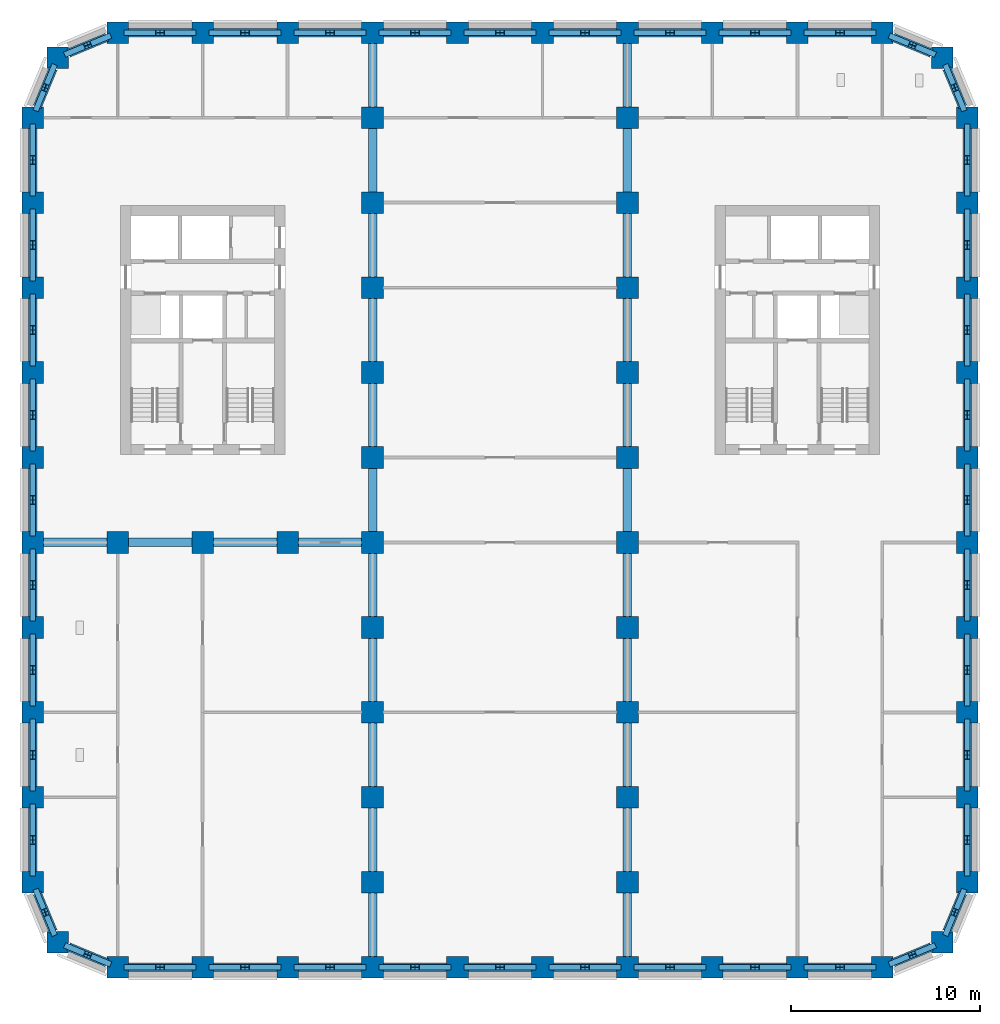
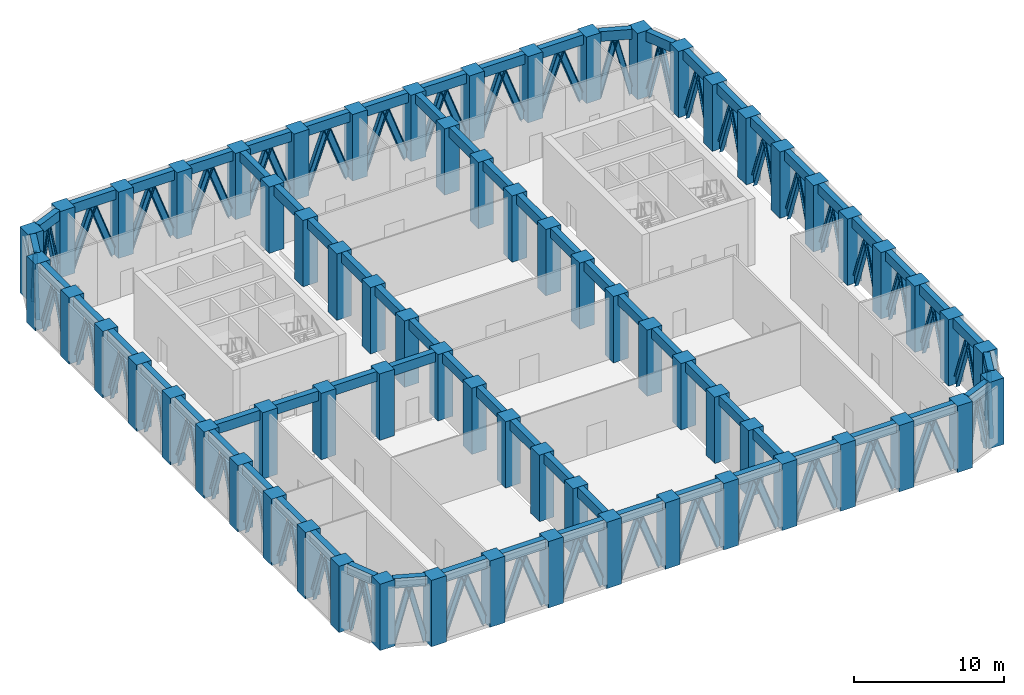
# One storey, part 1 of 11: 88 members, 70 beams, 67 columns.
"""IFC4 building model written with IfcOpenShell, lengths in metres."""

import ifcopenshell
import ifcopenshell.guid

model = None  # the IFC model being written
_history = None  # IfcOwnerHistory: only IFC2X3 demands one
_inside = {}  # id of a spatial element -> (the spatial element, [elements in it])
_under = {}  # id of a project, library or spatial element -> (it, [spatial elements below it])
_declared = {}  # id of a project -> (the project, [libraries it declares])
_typed = {}  # id of a type object -> (the type object, [elements of that type])
_made_of = {}  # id of a material, layer set ... -> (it, [elements and type objects made of it])


def new_model(schema):
    """Start an empty IFC model of exactly this schema.

    Asked for "IFC4X3", IfcOpenShell would pick the latest addendum, in which some entities
    have other attributes; the version numbers below select the first issue.
    IFC2X3 requires an IfcOwnerHistory on every rooted entity: one is made here for all.
    """
    global model, _history
    if schema == "IFC4X3":
        model = ifcopenshell.file(schema_version=(4, 3, 0, 0))
    else:
        model = ifcopenshell.file(schema=schema)
    _inside.clear()
    _under.clear()
    _declared.clear()
    _typed.clear()
    _made_of.clear()
    _history = None
    if model.schema == "IFC2X3":
        org = make("IfcOrganization", Name="unknown")
        user = make(
            "IfcPersonAndOrganization",
            ThePerson=make("IfcPerson", FamilyName="unknown"),
            TheOrganization=org,
        )
        app = make(
            "IfcApplication",
            ApplicationDeveloper=org,
            Version="unknown",
            ApplicationFullName="unknown",
            ApplicationIdentifier="unknown",
        )
        _history = make(
            "IfcOwnerHistory",
            OwningUser=user,
            OwningApplication=app,
            ChangeAction="ADDED",
            CreationDate=0,
        )
    return model


def make(cls, **values):
    """One entity of the class cls with the attributes given. An attribute that is None is left unset."""
    return model.create_entity(
        cls, **{name: value for name, value in values.items() if value is not None}
    )


def rooted(cls, **values):
    """An entity with a GlobalId (a new one), such as an element, a storey or a relation."""
    return make(cls, GlobalId=ifcopenshell.guid.new(), OwnerHistory=_history, **values)


def si_unit(unit_type, name, prefix=None):
    """IfcSIUnit, for example si_unit("LENGTHUNIT", "METRE", prefix="MILLI")."""
    return make("IfcSIUnit", UnitType=unit_type, Prefix=prefix, Name=name)


def assignment(units):
    """IfcUnitAssignment: the units of a project."""
    return None if units is None else make("IfcUnitAssignment", Units=units)


def point(xyz):
    """IfcCartesianPoint."""
    return None if xyz is None else make("IfcCartesianPoint", Coordinates=xyz)


def direction(xyz):
    """IfcDirection."""
    return None if xyz is None else make("IfcDirection", DirectionRatios=xyz)


def frame(location, z_axis=None, x_axis=None):
    """IfcAxis2Placement3D, a coordinate frame: its origin and axes. An axis left out is left unset."""
    return make(
        "IfcAxis2Placement3D",
        Location=point(location),
        Axis=direction(z_axis),
        RefDirection=direction(x_axis),
    )


def frame_2d(location, x_axis=None):
    """IfcAxis2Placement2D, a coordinate frame in the plane: its origin and x axis."""
    return make(
        "IfcAxis2Placement2D", Location=point(location), RefDirection=direction(x_axis)
    )


def origin():
    """The frame at (0, 0, 0) with its axes left unset."""
    return frame((0.0, 0.0, 0.0))


def origin_2d():
    """The frame at (0, 0) in the plane with its x axis left unset."""
    return frame_2d((0.0, 0.0))


def place(relative_to, where):
    """IfcLocalPlacement: puts the frame where relative to a parent placement (None: the world)."""
    return make(
        "IfcLocalPlacement", PlacementRelTo=relative_to, RelativePlacement=where
    )


def context(
    kind, dimensions, precision=None, world=None, true_north=None, identifier=None
):
    """IfcGeometricRepresentationContext, for example the 3D "Model" context."""
    return make(
        "IfcGeometricRepresentationContext",
        ContextIdentifier=identifier,
        ContextType=kind,
        CoordinateSpaceDimension=dimensions,
        Precision=precision,
        WorldCoordinateSystem=world,
        TrueNorth=true_north,
    )


def subcontext(parent, identifier, kind, view, scale=None):
    """IfcGeometricRepresentationSubContext, for example "Body" below "Model"."""
    return make(
        "IfcGeometricRepresentationSubContext",
        ContextIdentifier=identifier,
        ContextType=kind,
        ParentContext=parent,
        TargetScale=scale,
        TargetView=view,
    )


def project(units=None, contexts=None):
    """IfcProject with its units and contexts."""
    return rooted(
        "IfcProject",
        Name="project",
        RepresentationContexts=contexts,
        UnitsInContext=assignment(units),
    )


def spatial(cls, under=None, at=None, **own):
    """A site, building, storey or space (cls), placed at a placement, below another one or the project."""
    s = rooted(cls, ObjectPlacement=at, **own)
    if under is not None:
        _under.setdefault(under.id(), (under, []))[1].append(s)
    return s


def profile(cls, at=None, kind="AREA", **sizes):
    """A parametric profile (cls). Its sizes go by their IFC names, for example OverallWidth=200.0."""
    return make(cls, ProfileType=kind, Position=at, **sizes)


def rectangle(**sizes):
    """IfcRectangleProfileDef."""
    return profile("IfcRectangleProfileDef", **sizes)


def i_section(**sizes):
    """IfcIShapeProfileDef."""
    return profile("IfcIShapeProfileDef", **sizes)


def extrude(swept, where, along, depth):
    """IfcExtrudedAreaSolid: the profile swept, set in the frame where, extruded along a direction by depth."""
    return make(
        "IfcExtrudedAreaSolid",
        SweptArea=swept,
        Position=where,
        ExtrudedDirection=direction(along),
        Depth=depth,
    )


def shape(context_of_items, identifier, shape_type, items):
    """IfcShapeRepresentation: the items that make up one representation, for example the "Body"."""
    return make(
        "IfcShapeRepresentation",
        ContextOfItems=context_of_items,
        RepresentationIdentifier=identifier,
        RepresentationType=shape_type,
        Items=items,
    )


def material(Name=None, Category=None):
    """IfcMaterial."""
    return make("IfcMaterial", Name=Name, Category=Category)


def material_profile(
    of_material, cross_section, Name=None, Category=None, Priority=None
):
    """IfcMaterialProfile: a cross section and its material."""
    return make(
        "IfcMaterialProfile",
        Name=Name,
        Material=of_material,
        Profile=cross_section,
        Priority=Priority,
        Category=Category,
    )


def profile_set(profiles, Name=None, composite=None):
    """IfcMaterialProfileSet."""
    return make(
        "IfcMaterialProfileSet",
        Name=Name,
        MaterialProfiles=profiles,
        CompositeProfile=composite,
    )


def made_of(thing, what):
    """Note that an element or type object is made of a material, layer set ...; save() writes the relation."""
    if what is not None:
        _made_of.setdefault(what.id(), (what, []))[1].append(thing)
    return thing


def type_object(cls, material=None, **own):
    """A type object (cls), such as IfcWallType, which elements share."""
    return made_of(rooted(cls, **own), material)


def element(
    cls,
    number,
    at=None,
    inside=None,
    cuts=None,
    type_object=None,
    material=None,
    context=None,
    identifier="Body",
    shape_type=None,
    held_by="IfcProductDefinitionShape",
    body=None,
    shapes=None,
    **own,
):
    """One element of the class cls, such as IfcWall. Its Tag is "e" and its number.

    at: its placement. inside: the storey or other place that contains it. cuts: it is an
    opening in that element (IfcRelVoidsElement). A single representation is given by context,
    identifier, shape_type and body (its items); several are given by shapes. held_by: the class
    of the entity that holds the representations. save() writes the other relations.
    """
    e = rooted(cls, Tag="e%d" % number, ObjectPlacement=at, **own)
    if body is not None:
        shapes = [shape(context, identifier, shape_type, body)]
    if shapes is not None:
        e.Representation = make(held_by, Representations=shapes)
    if inside is not None:
        _inside.setdefault(inside.id(), (inside, []))[1].append(e)
    if cuts is not None:
        rooted(
            "IfcRelVoidsElement", RelatingBuildingElement=cuts, RelatedOpeningElement=e
        )
    if type_object is not None:
        _typed.setdefault(type_object.id(), (type_object, []))[1].append(e)
    return made_of(e, material)


def aggregate(whole, parts):
    """IfcRelAggregates: a whole, such as a stair, and the parts it consists of."""
    return rooted("IfcRelAggregates", RelatingObject=whole, RelatedObjects=parts)


def save(model, path):
    """Write the relations noted so far, then the file.

    IfcRelAggregates (storeys below a building ...), IfcRelContainedInSpatialStructure (elements
    in a storey), IfcRelDefinesByType, IfcRelAssociatesMaterial and IfcRelDeclares: one each for
    every whole, place, type object, material and project.
    """
    for whole, parts in _under.values():
        aggregate(whole, parts)
    for where, things in _inside.values():
        rooted(
            "IfcRelContainedInSpatialStructure",
            RelatedElements=things,
            RelatingStructure=where,
        )
    for kind, things in _typed.values():
        rooted("IfcRelDefinesByType", RelatedObjects=things, RelatingType=kind)
    for what, things in _made_of.values():
        rooted("IfcRelAssociatesMaterial", RelatedObjects=things, RelatingMaterial=what)
    for by, libraries in _declared.values():
        rooted("IfcRelDeclares", RelatingContext=by, RelatedDefinitions=libraries)
    model.write(path)


model = new_model("IFC4")

# Units and contexts
model_context = context("Model", 3, precision=1e-05, world=origin(), true_north=direction((0.0, 1.0)))
body_context = subcontext(model_context, "Body", "Model", "MODEL_VIEW")
ifc_project = project(units=[si_unit("LENGTHUNIT", "METRE"), si_unit("AREAUNIT", "SQUARE_METRE"), si_unit("VOLUMEUNIT", "CUBIC_METRE"), si_unit("PLANEANGLEUNIT", "RADIAN"), si_unit("MASSUNIT", "GRAM", prefix="KILO")], contexts=[model_context])

# Site, building, storey
site_placement = place(None, origin())
site = spatial("IfcSite", under=ifc_project, at=site_placement, CompositionType="ELEMENT")
building_placement = place(site_placement, origin())
building = spatial("IfcBuilding", under=site, at=building_placement, Name="Girih Gate Residences", CompositionType="ELEMENT")
storey_placement = place(building_placement, frame((0.0, 0.0, 124.800048828125)))
storey = spatial("IfcBuildingStorey", under=building, at=storey_placement, Name="L35", CompositionType="ELEMENT", Elevation=124.800048828125)

# Columns
ifc_material_1 = material(Name="Concrete C80/95", Category="concrete")
ifc_material_profile_1 = material_profile(ifc_material_1, rectangle(XDim=1.14990234375, YDim=1.14990234375, at=origin_2d()))
ifc_profile_set_1 = profile_set([ifc_material_profile_1], Name="Concrete C80/95")
column_type = type_object("IfcColumnType", Name="Pier RC 1150x1150 Concrete C80/95", PredefinedType="COLUMN", material=ifc_profile_set_1)
for number, where, z_axis, x_axis, name in (
    (1, (4.5, 0.0, 0.0), (0.0, 0.0, 1.0), (1.0, 0.0, 0.0), "Pier P2A L35"),
    (2, (9.0, 0.0, 0.0), (0.0, 0.0, 1.0), (1.0, 0.0, 0.0), "Pier P3A L35"),
    (3, (13.5, 0.0, 0.0), (0.0, 0.0, 1.0), (1.0, 0.0, 0.0), "Pier P4A L35"),
    (4, (18.0, 0.0, 0.0), (0.0, 0.0, 1.0), (1.0, 0.0, 0.0), "Pier P5A L35"),
    (5, (22.5, 0.0, 0.0), (0.0, 0.0, 1.0), (1.0, 0.0, 0.0), "Pier P6A L35"),
    (6, (27.0, 0.0, 0.0), (0.0, 0.0, 1.0), (1.0, 0.0, 0.0), "Pier P7A L35"),
    (7, (31.5, 0.0, 0.0), (0.0, 0.0, 1.0), (1.0, 0.0, 0.0), "Pier P8A L35"),
    (8, (36.0, 0.0, 0.0), (0.0, 0.0, 1.0), (1.0, 0.0, 0.0), "Pier P9A L35"),
    (9, (40.5, 0.0, 0.0), (0.0, 0.0, 1.0), (1.0, 0.0, 0.0), "Pier P10A L35"),
    (10, (45.0, 0.0, 0.0), (0.0, 0.0, 1.0), (1.0, 0.0, 0.0), "Pier P11A L35"),
    (11, (1.318115234375, 1.318115234375, 0.0), (0.0, 0.0, 1.0), (1.0, 0.0, 0.0), "Pier P1ANE L35"),
    (12, (48.181884765625, 1.318115234375, 0.0), (0.0, 0.0, 1.0), (1.0, 0.0, 0.0), "Pier P12ANW L35"),
    (13, (0.0, 4.5, 0.0), (0.0, 0.0, 1.0), (1.0, 0.0, 0.0), "Pier P1B L35"),
    (14, (18.0, 4.5, 0.0), (0.0, 0.0, 1.0), (1.0, 0.0, 0.0), "Pier P5B L35"),
    (15, (31.5, 4.5, 0.0), (0.0, 0.0, 1.0), (1.0, 0.0, 0.0), "Pier P8B L35"),
    (16, (49.5, 4.5, 0.0), (0.0, 0.0, 1.0), (1.0, 0.0, 0.0), "Pier P12B L35"),
    (17, (0.0, 9.0, 0.0), (0.0, 0.0, 1.0), (1.0, 0.0, 0.0), "Pier P1C L35"),
    (18, (18.0, 9.0, 0.0), (0.0, 0.0, 1.0), (1.0, 0.0, 0.0), "Pier P5C L35"),
    (19, (31.5, 9.0, 0.0), (0.0, 0.0, 1.0), (1.0, 0.0, 0.0), "Pier P8C L35"),
    (20, (49.5, 9.0, 0.0), (0.0, 0.0, 1.0), (1.0, 0.0, 0.0), "Pier P12C L35"),
    (21, (0.0, 13.5, 0.0), (0.0, 0.0, 1.0), (1.0, 0.0, 0.0), "Pier P1D L35"),
    (22, (18.0, 13.5, 0.0), (0.0, 0.0, 1.0), (1.0, 0.0, 0.0), "Pier P5D L35"),
    (23, (31.5, 13.5, 0.0), (0.0, 0.0, 1.0), (1.0, 0.0, 0.0), "Pier P8D L35"),
    (24, (49.5, 13.5, 0.0), (0.0, 0.0, 1.0), (1.0, 0.0, 0.0), "Pier P12D L35"),
    (25, (0.0, 18.0, 0.0), (0.0, 0.0, 1.0), (1.0, 0.0, 0.0), "Pier P1E L35"),
    (26, (18.0, 18.0, 0.0), (0.0, 0.0, 1.0), (1.0, 0.0, 0.0), "Pier P5E L35"),
    (27, (31.5, 18.0, 0.0), (0.0, 0.0, 1.0), (1.0, 0.0, 0.0), "Pier P8E L35"),
    (28, (49.5, 18.0, 0.0), (0.0, 0.0, 1.0), (1.0, 0.0, 0.0), "Pier P12E L35"),
    (29, (0.0, 22.5, 0.0), (0.0, 0.0, 1.0), (1.0, 0.0, 0.0), "Pier P1F L35"),
    (30, (4.5, 22.5, 0.0), (0.0, 0.0, 1.0), (1.0, 0.0, 0.0), "Pier P2F L35"),
    (31, (9.0, 22.5, 0.0), (0.0, 0.0, 1.0), (1.0, 0.0, 0.0), "Pier P3F L35"),
    (32, (13.5, 22.5, 0.0), (0.0, 0.0, 1.0), (1.0, 0.0, 0.0), "Pier P4F L35"),
    (33, (18.0, 22.5, 0.0), (0.0, 0.0, 1.0), (1.0, 0.0, 0.0), "Pier P5F L35"),
    (34, (31.5, 22.5, 0.0), (0.0, 0.0, 1.0), (1.0, 0.0, 0.0), "Pier P8F L35"),
    (35, (49.5, 22.5, 0.0), (0.0, 0.0, 1.0), (1.0, 0.0, 0.0), "Pier P12F L35"),
    (36, (0.0, 27.0, 0.0), (0.0, 0.0, 1.0), (1.0, 0.0, 0.0), "Pier P1G L35"),
    (37, (18.0, 27.0, 0.0), (0.0, 0.0, 1.0), (1.0, 0.0, 0.0), "Pier P5G L35"),
    (38, (31.5, 27.0, 0.0), (0.0, 0.0, 1.0), (1.0, 0.0, 0.0), "Pier P8G L35"),
    (39, (49.5, 27.0, 0.0), (0.0, 0.0, 1.0), (1.0, 0.0, 0.0), "Pier P12G L35"),
    (40, (0.0, 31.5, 0.0), (0.0, 0.0, 1.0), (1.0, 0.0, 0.0), "Pier P1H L35"),
    (41, (18.0, 31.5, 0.0), (0.0, 0.0, 1.0), (1.0, 0.0, 0.0), "Pier P5H L35"),
    (42, (31.5, 31.5, 0.0), (0.0, 0.0, 1.0), (1.0, 0.0, 0.0), "Pier P8H L35"),
    (43, (49.5, 31.5, 0.0), (0.0, 0.0, 1.0), (1.0, 0.0, 0.0), "Pier P12H L35"),
    (44, (0.0, 36.0, 0.0), (0.0, 0.0, 1.0), (1.0, 0.0, 0.0), "Pier P1I L35"),
    (45, (18.0, 36.0, 0.0), (0.0, 0.0, 1.0), (1.0, 0.0, 0.0), "Pier P5I L35"),
    (46, (31.5, 36.0, 0.0), (0.0, 0.0, 1.0), (1.0, 0.0, 0.0), "Pier P8I L35"),
    (47, (49.5, 36.0, 0.0), (0.0, 0.0, 1.0), (1.0, 0.0, 0.0), "Pier P12I L35"),
    (48, (0.0, 40.5, 0.0), (0.0, 0.0, 1.0), (1.0, 0.0, 0.0), "Pier P1J L35"),
    (49, (18.0, 40.5, 0.0), (0.0, 0.0, 1.0), (1.0, 0.0, 0.0), "Pier P5J L35"),
    (50, (31.5, 40.5, 0.0), (0.0, 0.0, 1.0), (1.0, 0.0, 0.0), "Pier P8J L35"),
    (51, (49.5, 40.5, 0.0), (0.0, 0.0, 1.0), (1.0, 0.0, 0.0), "Pier P12J L35"),
    (52, (0.0, 45.0, 0.0), (0.0, 0.0, 1.0), (1.0, 0.0, 0.0), "Pier P1K L35"),
    (53, (18.0, 45.0, 0.0), (0.0, 0.0, 1.0), (1.0, 0.0, 0.0), "Pier P5K L35"),
    (54, (31.5, 45.0, 0.0), (0.0, 0.0, 1.0), (1.0, 0.0, 0.0), "Pier P8K L35"),
    (55, (49.5, 45.0, 0.0), (0.0, 0.0, 1.0), (1.0, 0.0, 0.0), "Pier P12K L35"),
    (56, (1.318115234375, 48.181884765625, 0.0), (0.0, 0.0, 1.0), (1.0, 0.0, 0.0), "Pier P1LSE L35"),
    (57, (48.181884765625, 48.181884765625, 0.0), (0.0, 0.0, 1.0), (1.0, 0.0, 0.0), "Pier P12LSW L35"),
    (58, (4.5, 49.5, 0.0), (0.0, 0.0, 1.0), (1.0, 0.0, 0.0), "Pier P2L L35"),
    (59, (9.0, 49.5, 0.0), (0.0, 0.0, 1.0), (1.0, 0.0, 0.0), "Pier P3L L35"),
    (60, (13.5, 49.5, 0.0), (0.0, 0.0, 1.0), (1.0, 0.0, 0.0), "Pier P4L L35"),
    (61, (18.0, 49.5, 0.0), (0.0, 0.0, 1.0), (1.0, 0.0, 0.0), "Pier P5L L35"),
    (62, (22.5, 49.5, 0.0), (0.0, 0.0, 1.0), (1.0, 0.0, 0.0), "Pier P6L L35"),
    (63, (27.0, 49.5, 0.0), (0.0, 0.0, 1.0), (1.0, 0.0, 0.0), "Pier P7L L35"),
    (64, (31.5, 49.5, 0.0), (0.0, 0.0, 1.0), (1.0, 0.0, 0.0), "Pier P8L L35"),
    (65, (36.0, 49.5, 0.0), (0.0, 0.0, 1.0), (1.0, 0.0, 0.0), "Pier P9L L35"),
    (66, (40.5, 49.5, 0.0), (0.0, 0.0, 1.0), (1.0, 0.0, 0.0), "Pier P10L L35"),
    (67, (45.0, 49.5, 0.0), (0.0, 0.0, 1.0), (1.0, 0.0, 0.0), "Pier P11L L35"),
):
    element("IfcColumn", number, at=place(storey_placement, frame(where, z_axis=z_axis, x_axis=x_axis)), inside=storey, type_object=column_type, Name=name, PredefinedType="COLUMN", context=body_context, shape_type="SweptSolid", body=[
        extrude(rectangle(XDim=1.14990234375, YDim=1.14990234375, at=origin_2d()), origin(), (0.0, 0.0, 1.0), 5.39990234375),
    ])

# Members
ifc_material_2 = material(Name="Steel S460", Category="steel")
ifc_material_profile_2 = material_profile(ifc_material_2, i_section(OverallWidth=0.300048828125, OverallDepth=0.39990234375, WebThickness=0.013427734375, FlangeThickness=0.02392578125, FilletRadius=0.027099609375, at=origin_2d()))
ifc_profile_set_2 = profile_set([ifc_material_profile_2], Name="Steel S460")
member_type_1 = type_object("IfcMemberType", Name="Belt truss diagonal HE 400 B Steel S460", PredefinedType="BRACE", material=ifc_profile_set_2)
for number, where, z_axis, x_axis, name in (
    (68, (0.226806640625, 3.95263671875, 0.0), (0.091233258444, -0.220351514039, 0.971144532402), (0.923937822561, 0.382542677411, 0.0), "Belt truss BT3 L35 SW0000_0045.0-1"),
    (69, (1.09130859375, 1.865234375, 0.0), (-0.091284373269, 0.220350477541, 0.971139964292), (-0.923861421734, -0.382727152723, 0.0), "Belt truss BT3 L35 SW0000_0045.0-2"),
    (70, (1.865234375, 1.09130859375, 0.0), (0.220350477541, -0.091284373269, 0.971139964292), (0.382727152723, 0.923861421734, 0.0), "Belt truss BT3 L35 SW0013_0013.0-1"),
    (71, (3.95263671875, 0.226806640625, 0.0), (-0.220351514039, 0.091233258444, 0.971144532402), (-0.382542677411, -0.923937822561, 0.0), "Belt truss BT3 L35 SW0013_0013.0-2"),
    (72, (45.54736328125, 0.226806640625, 0.0), (0.220351514039, 0.091233258444, 0.971144532402), (-0.382542677411, 0.923937822561, 0.0), "Belt truss BT3 L35 SE0450_0000.0-1"),
    (73, (47.634765625, 1.09130859375, 0.0), (-0.220350477541, -0.091284373269, 0.971139964292), (0.382727152723, -0.923861421734, 0.0), "Belt truss BT3 L35 SE0450_0000.0-2"),
    (74, (48.40869140625, 1.865234375, 0.0), (0.091284373269, 0.220350477541, 0.971139964292), (-0.923861421734, 0.382727152723, 0.0), "Belt truss BT3 L35 SE0482_0013.0-1"),
    (75, (49.273193359375, 3.95263671875, 0.0), (-0.091233258444, -0.220351514039, 0.971144532402), (0.923937822561, -0.382542677411, 0.0), "Belt truss BT3 L35 SE0482_0013.0-2"),
    (76, (49.273193359375, 45.54736328125, 0.0), (-0.091233258444, 0.220351514039, 0.971144532402), (-0.923937822561, -0.382542677411, 0.0), "Belt truss BT3 L35 NE0495_0450.0-1"),
    (77, (48.40869140625, 47.634765625, 0.0), (0.091284373269, -0.220350477541, 0.971139964292), (0.923861421734, 0.382727152723, 0.0), "Belt truss BT3 L35 NE0495_0450.0-2"),
    (78, (47.634765625, 48.40869140625, 0.0), (-0.220350477541, 0.091284373269, 0.971139964292), (-0.382727152723, -0.923861421734, 0.0), "Belt truss BT3 L35 NE0482_0482.0-1"),
    (79, (45.54736328125, 49.273193359375, 0.0), (0.220351514039, -0.091233258444, 0.971144532402), (0.382542677411, 0.923937822561, 0.0), "Belt truss BT3 L35 NE0482_0482.0-2"),
    (80, (3.95263671875, 49.273193359375, 0.0), (-0.220351514039, -0.091233258444, 0.971144532402), (0.382542677411, -0.923937822561, 0.0), "Belt truss BT3 L35 NW0045_0495.0-1"),
    (81, (1.865234375, 48.40869140625, 0.0), (0.220350477541, 0.091284373269, 0.971139964292), (-0.382727152723, 0.923861421734, 0.0), "Belt truss BT3 L35 NW0045_0495.0-2"),
    (82, (1.09130859375, 47.634765625, 0.0), (-0.091284373269, -0.220350477541, 0.971139964292), (0.923861421734, -0.382727152723, 0.0), "Belt truss BT3 L35 NW0013_0482.0-1"),
    (83, (0.226806640625, 45.54736328125, 0.0), (0.091233258444, 0.220351514039, 0.971144532402), (-0.923937822561, 0.382542677411, 0.0), "Belt truss BT3 L35 NW0013_0482.0-2"),
):
    element("IfcMember", number, at=place(storey_placement, frame(where, z_axis=z_axis, x_axis=x_axis)), inside=storey, type_object=member_type_1, Name=name, PredefinedType="BRACE", context=body_context, shape_type="SweptSolid", body=[
        extrude(i_section(OverallWidth=0.300048828125, OverallDepth=0.39990234375, WebThickness=0.013427734375, FlangeThickness=0.02392578125, FilletRadius=0.027099609375, at=origin_2d()), origin(), (0.0, 0.0, 1.0), 4.736572265625),
    ])
ifc_material_profile_3 = material_profile(ifc_material_2, i_section(OverallWidth=0.300048828125, OverallDepth=0.5, WebThickness=0.014404296875, FlangeThickness=0.028076171875, FilletRadius=0.027099609375, at=origin_2d()))
ifc_profile_set_3 = profile_set([ifc_material_profile_3], Name="Steel S460")
member_type_2 = type_object("IfcMemberType", Name="Belt truss diagonal HE 500 B Steel S460", PredefinedType="BRACE", material=ifc_profile_set_3)
for number, where, z_axis, x_axis, name in (
    (84, (5.074951171875, 0.0, 0.0), (0.342171489557, 0.0, 0.93963752146), (0.0, 1.0, 0.0), "Belt truss BT2 L35 S0045_0000.0-1"),
    (85, (8.425048828125, 0.0, 0.0), (-0.342171489557, 0.0, 0.93963752146), (0.0, -1.0, 0.0), "Belt truss BT2 L35 S0045_0000.0-2"),
    (86, (9.574951171875, 0.0, 0.0), (0.342171489557, 0.0, 0.93963752146), (0.0, 1.0, 0.0), "Belt truss BT2 L35 S0045_0000.1-1"),
    (87, (12.925048828125, 0.0, 0.0), (-0.342171489557, 0.0, 0.93963752146), (0.0, -1.0, 0.0), "Belt truss BT2 L35 S0045_0000.1-2"),
    (88, (14.074951171875, 0.0, 0.0), (0.342171489557, 0.0, 0.93963752146), (0.0, 1.0, 0.0), "Belt truss BT2 L35 S0045_0000.2-1"),
    (89, (17.425048828125, 0.0, 0.0), (-0.342171489557, 0.0, 0.93963752146), (0.0, -1.0, 0.0), "Belt truss BT2 L35 S0045_0000.2-2"),
    (90, (18.574951171875, 0.0, 0.0), (0.342171489557, 0.0, 0.93963752146), (0.0, 1.0, 0.0), "Belt truss BT2 L35 S0045_0000.3-1"),
    (91, (21.925048828125, 0.0, 0.0), (-0.342171489557, 0.0, 0.93963752146), (0.0, -1.0, 0.0), "Belt truss BT2 L35 S0045_0000.3-2"),
    (92, (23.074951171875, 0.0, 0.0), (0.342171489557, 0.0, 0.93963752146), (0.0, 1.0, 0.0), "Belt truss BT2 L35 S0045_0000.4-1"),
    (93, (26.425048828125, 0.0, 0.0), (-0.342171489557, 0.0, 0.93963752146), (0.0, -1.0, 0.0), "Belt truss BT2 L35 S0045_0000.4-2"),
    (94, (27.574951171875, 0.0, 0.0), (0.342171489557, 0.0, 0.93963752146), (0.0, 1.0, 0.0), "Belt truss BT2 L35 S0045_0000.5-1"),
    (95, (30.925048828125, 0.0, 0.0), (-0.342171489557, 0.0, 0.93963752146), (0.0, -1.0, 0.0), "Belt truss BT2 L35 S0045_0000.5-2"),
    (96, (32.074951171875, 0.0, 0.0), (0.342171489557, 0.0, 0.93963752146), (0.0, 1.0, 0.0), "Belt truss BT2 L35 S0045_0000.6-1"),
    (97, (35.425048828125, 0.0, 0.0), (-0.342171489557, 0.0, 0.93963752146), (0.0, -1.0, 0.0), "Belt truss BT2 L35 S0045_0000.6-2"),
    (98, (36.574951171875, 0.0, 0.0), (0.342171489557, 0.0, 0.93963752146), (0.0, 1.0, 0.0), "Belt truss BT2 L35 S0045_0000.7-1"),
    (99, (39.925048828125, 0.0, 0.0), (-0.342171489557, 0.0, 0.93963752146), (0.0, -1.0, 0.0), "Belt truss BT2 L35 S0045_0000.7-2"),
    (100, (41.074951171875, 0.0, 0.0), (0.342171489557, 0.0, 0.93963752146), (0.0, 1.0, 0.0), "Belt truss BT2 L35 S0045_0000.8-1"),
    (101, (44.425048828125, 0.0, 0.0), (-0.342171489557, 0.0, 0.93963752146), (0.0, -1.0, 0.0), "Belt truss BT2 L35 S0045_0000.8-2"),
    (102, (49.5, 5.074951171875, 0.0), (0.0, 0.342171489557, 0.93963752146), (-1.0, 0.0, 0.0), "Belt truss BT2 L35 E0495_0045.0-1"),
    (103, (49.5, 8.425048828125, 0.0), (0.0, -0.342171489557, 0.93963752146), (1.0, 0.0, 0.0), "Belt truss BT2 L35 E0495_0045.0-2"),
    (104, (49.5, 9.574951171875, 0.0), (0.0, 0.342171489557, 0.93963752146), (-1.0, 0.0, 0.0), "Belt truss BT2 L35 E0495_0045.1-1"),
    (105, (49.5, 12.925048828125, 0.0), (0.0, -0.342171489557, 0.93963752146), (1.0, 0.0, 0.0), "Belt truss BT2 L35 E0495_0045.1-2"),
    (106, (49.5, 14.074951171875, 0.0), (0.0, 0.342171489557, 0.93963752146), (-1.0, 0.0, 0.0), "Belt truss BT2 L35 E0495_0045.2-1"),
    (107, (49.5, 17.425048828125, 0.0), (0.0, -0.342171489557, 0.93963752146), (1.0, 0.0, 0.0), "Belt truss BT2 L35 E0495_0045.2-2"),
    (108, (49.5, 18.574951171875, 0.0), (0.0, 0.342171489557, 0.93963752146), (-1.0, 0.0, 0.0), "Belt truss BT2 L35 E0495_0045.3-1"),
    (109, (49.5, 21.925048828125, 0.0), (0.0, -0.342171489557, 0.93963752146), (1.0, 0.0, 0.0), "Belt truss BT2 L35 E0495_0045.3-2"),
    (110, (49.5, 23.074951171875, 0.0), (0.0, 0.342171489557, 0.93963752146), (-1.0, 0.0, 0.0), "Belt truss BT2 L35 E0495_0045.4-1"),
    (111, (49.5, 26.425048828125, 0.0), (0.0, -0.342171489557, 0.93963752146), (1.0, 0.0, 0.0), "Belt truss BT2 L35 E0495_0045.4-2"),
    (112, (49.5, 27.574951171875, 0.0), (0.0, 0.342171489557, 0.93963752146), (-1.0, 0.0, 0.0), "Belt truss BT2 L35 E0495_0045.5-1"),
    (113, (49.5, 30.925048828125, 0.0), (0.0, -0.342171489557, 0.93963752146), (1.0, 0.0, 0.0), "Belt truss BT2 L35 E0495_0045.5-2"),
    (114, (49.5, 32.074951171875, 0.0), (0.0, 0.342171489557, 0.93963752146), (-1.0, 0.0, 0.0), "Belt truss BT2 L35 E0495_0045.6-1"),
    (115, (49.5, 35.425048828125, 0.0), (0.0, -0.342171489557, 0.93963752146), (1.0, 0.0, 0.0), "Belt truss BT2 L35 E0495_0045.6-2"),
    (116, (49.5, 36.574951171875, 0.0), (0.0, 0.342171489557, 0.93963752146), (-1.0, 0.0, 0.0), "Belt truss BT2 L35 E0495_0045.7-1"),
    (117, (49.5, 39.925048828125, 0.0), (0.0, -0.342171489557, 0.93963752146), (1.0, 0.0, 0.0), "Belt truss BT2 L35 E0495_0045.7-2"),
    (118, (49.5, 41.074951171875, 0.0), (0.0, 0.342171489557, 0.93963752146), (-1.0, 0.0, 0.0), "Belt truss BT2 L35 E0495_0045.8-1"),
    (119, (49.5, 44.425048828125, 0.0), (0.0, -0.342171489557, 0.93963752146), (1.0, 0.0, 0.0), "Belt truss BT2 L35 E0495_0045.8-2"),
    (120, (44.425048828125, 49.5, 0.0), (-0.342171489557, 0.0, 0.93963752146), (0.0, -1.0, 0.0), "Belt truss BT2 L35 N0450_0495.0-1"),
    (121, (41.074951171875, 49.5, 0.0), (0.342171489557, 0.0, 0.93963752146), (0.0, 1.0, 0.0), "Belt truss BT2 L35 N0450_0495.0-2"),
    (122, (39.925048828125, 49.5, 0.0), (-0.342171489557, 0.0, 0.93963752146), (0.0, -1.0, 0.0), "Belt truss BT2 L35 N0450_0495.1-1"),
    (123, (36.574951171875, 49.5, 0.0), (0.342171489557, 0.0, 0.93963752146), (0.0, 1.0, 0.0), "Belt truss BT2 L35 N0450_0495.1-2"),
    (124, (35.425048828125, 49.5, 0.0), (-0.342171489557, 0.0, 0.93963752146), (0.0, -1.0, 0.0), "Belt truss BT2 L35 N0450_0495.2-1"),
    (125, (32.074951171875, 49.5, 0.0), (0.342171489557, 0.0, 0.93963752146), (0.0, 1.0, 0.0), "Belt truss BT2 L35 N0450_0495.2-2"),
    (126, (30.925048828125, 49.5, 0.0), (-0.342171489557, 0.0, 0.93963752146), (0.0, -1.0, 0.0), "Belt truss BT2 L35 N0450_0495.3-1"),
    (127, (27.574951171875, 49.5, 0.0), (0.342171489557, 0.0, 0.93963752146), (0.0, 1.0, 0.0), "Belt truss BT2 L35 N0450_0495.3-2"),
    (128, (26.425048828125, 49.5, 0.0), (-0.342171489557, 0.0, 0.93963752146), (0.0, -1.0, 0.0), "Belt truss BT2 L35 N0450_0495.4-1"),
    (129, (23.074951171875, 49.5, 0.0), (0.342171489557, 0.0, 0.93963752146), (0.0, 1.0, 0.0), "Belt truss BT2 L35 N0450_0495.4-2"),
    (130, (21.925048828125, 49.5, 0.0), (-0.342171489557, 0.0, 0.93963752146), (0.0, -1.0, 0.0), "Belt truss BT2 L35 N0450_0495.5-1"),
    (131, (18.574951171875, 49.5, 0.0), (0.342171489557, 0.0, 0.93963752146), (0.0, 1.0, 0.0), "Belt truss BT2 L35 N0450_0495.5-2"),
    (132, (17.425048828125, 49.5, 0.0), (-0.342171489557, 0.0, 0.93963752146), (0.0, -1.0, 0.0), "Belt truss BT2 L35 N0450_0495.6-1"),
    (133, (14.074951171875, 49.5, 0.0), (0.342171489557, 0.0, 0.93963752146), (0.0, 1.0, 0.0), "Belt truss BT2 L35 N0450_0495.6-2"),
    (134, (12.925048828125, 49.5, 0.0), (-0.342171489557, 0.0, 0.93963752146), (0.0, -1.0, 0.0), "Belt truss BT2 L35 N0450_0495.7-1"),
    (135, (9.574951171875, 49.5, 0.0), (0.342171489557, 0.0, 0.93963752146), (0.0, 1.0, 0.0), "Belt truss BT2 L35 N0450_0495.7-2"),
    (136, (8.425048828125, 49.5, 0.0), (-0.342171489557, 0.0, 0.93963752146), (0.0, -1.0, 0.0), "Belt truss BT2 L35 N0450_0495.8-1"),
    (137, (5.074951171875, 49.5, 0.0), (0.342171489557, 0.0, 0.93963752146), (0.0, 1.0, 0.0), "Belt truss BT2 L35 N0450_0495.8-2"),
    (138, (0.0, 44.425048828125, 0.0), (0.0, -0.342171489557, 0.93963752146), (1.0, 0.0, 0.0), "Belt truss BT2 L35 W0000_0450.0-1"),
    (139, (0.0, 41.074951171875, 0.0), (0.0, 0.342171489557, 0.93963752146), (-1.0, 0.0, 0.0), "Belt truss BT2 L35 W0000_0450.0-2"),
    (140, (0.0, 39.925048828125, 0.0), (0.0, -0.342171489557, 0.93963752146), (1.0, 0.0, 0.0), "Belt truss BT2 L35 W0000_0450.1-1"),
    (141, (0.0, 36.574951171875, 0.0), (0.0, 0.342171489557, 0.93963752146), (-1.0, 0.0, 0.0), "Belt truss BT2 L35 W0000_0450.1-2"),
    (142, (0.0, 35.425048828125, 0.0), (0.0, -0.342171489557, 0.93963752146), (1.0, 0.0, 0.0), "Belt truss BT2 L35 W0000_0450.2-1"),
    (143, (0.0, 32.074951171875, 0.0), (0.0, 0.342171489557, 0.93963752146), (-1.0, 0.0, 0.0), "Belt truss BT2 L35 W0000_0450.2-2"),
    (144, (0.0, 30.925048828125, 0.0), (0.0, -0.342171489557, 0.93963752146), (1.0, 0.0, 0.0), "Belt truss BT2 L35 W0000_0450.3-1"),
    (145, (0.0, 27.574951171875, 0.0), (0.0, 0.342171489557, 0.93963752146), (-1.0, 0.0, 0.0), "Belt truss BT2 L35 W0000_0450.3-2"),
    (146, (0.0, 26.425048828125, 0.0), (0.0, -0.342171489557, 0.93963752146), (1.0, 0.0, 0.0), "Belt truss BT2 L35 W0000_0450.4-1"),
    (147, (0.0, 23.074951171875, 0.0), (0.0, 0.342171489557, 0.93963752146), (-1.0, 0.0, 0.0), "Belt truss BT2 L35 W0000_0450.4-2"),
    (148, (0.0, 21.925048828125, 0.0), (0.0, -0.342171489557, 0.93963752146), (1.0, 0.0, 0.0), "Belt truss BT2 L35 W0000_0450.5-1"),
    (149, (0.0, 18.574951171875, 0.0), (0.0, 0.342171489557, 0.93963752146), (-1.0, 0.0, 0.0), "Belt truss BT2 L35 W0000_0450.5-2"),
    (150, (0.0, 17.425048828125, 0.0), (0.0, -0.342171489557, 0.93963752146), (1.0, 0.0, 0.0), "Belt truss BT2 L35 W0000_0450.6-1"),
    (151, (0.0, 14.074951171875, 0.0), (0.0, 0.342171489557, 0.93963752146), (-1.0, 0.0, 0.0), "Belt truss BT2 L35 W0000_0450.6-2"),
    (152, (0.0, 12.925048828125, 0.0), (0.0, -0.342171489557, 0.93963752146), (1.0, 0.0, 0.0), "Belt truss BT2 L35 W0000_0450.7-1"),
    (153, (0.0, 9.574951171875, 0.0), (0.0, 0.342171489557, 0.93963752146), (-1.0, 0.0, 0.0), "Belt truss BT2 L35 W0000_0450.7-2"),
    (154, (0.0, 8.425048828125, 0.0), (0.0, -0.342171489557, 0.93963752146), (1.0, 0.0, 0.0), "Belt truss BT2 L35 W0000_0450.8-1"),
    (155, (0.0, 5.074951171875, 0.0), (0.0, 0.342171489557, 0.93963752146), (-1.0, 0.0, 0.0), "Belt truss BT2 L35 W0000_0450.8-2"),
):
    element("IfcMember", number, at=place(storey_placement, frame(where, z_axis=z_axis, x_axis=x_axis)), inside=storey, type_object=member_type_2, Name=name, PredefinedType="BRACE", context=body_context, shape_type="SweptSolid", body=[
        extrude(i_section(OverallWidth=0.300048828125, OverallDepth=0.5, WebThickness=0.014404296875, FlangeThickness=0.028076171875, FilletRadius=0.027099609375, at=origin_2d()), origin(), (0.0, 0.0, 1.0), 4.895263671875),
    ])

# Beams
ifc_material_3 = material(Name="Concrete C60/75", Category="concrete")
ifc_material_profile_4 = material_profile(ifc_material_3, rectangle(XDim=0.449951171875, YDim=0.800048828125, at=origin_2d()))
ifc_profile_set_4 = profile_set([ifc_material_profile_4], Name="Concrete C60/75")
beam_type = type_object("IfcBeamType", Name="Spandrel girder RC 450x800 Concrete C60/75", PredefinedType="BEAM", material=ifc_profile_set_4)
for number, where, z_axis, x_axis, name in (
    (156, (0.23828125, 3.925048828125, 5.0), (0.382636106589, -0.92389913407, 0.0), (0.92389913407, 0.382636106589, 0.0), "Spandrel girder SP-P1B-P1ANE L35"),
    (157, (1.89306640625, 1.079833984375, 5.0), (0.92389913407, -0.382636106589, 0.0), (0.382636106589, 0.92389913407, 0.0), "Spandrel girder SP-P1ANE-P2A L35"),
):
    element("IfcBeam", number, at=place(storey_placement, frame(where, z_axis=z_axis, x_axis=x_axis)), inside=storey, type_object=beam_type, Name=name, PredefinedType="BEAM", context=body_context, shape_type="SweptSolid", body=[
        extrude(rectangle(XDim=0.449951171875, YDim=0.800048828125, at=origin_2d()), origin(), (0.0, 0.0, 1.0), 2.199462890625),
    ])
for number, where, z_axis, x_axis, name in (
    (158, (5.074951171875, 0.0, 5.0), (1.0, 0.0, 0.0), (0.0, 1.0, 0.0), "Spandrel girder SP-P2A-P3A L35"),
    (159, (9.574951171875, 0.0, 5.0), (1.0, 0.0, 0.0), (0.0, 1.0, 0.0), "Spandrel girder SP-P3A-P4A L35"),
    (160, (14.074951171875, 0.0, 5.0), (1.0, 0.0, 0.0), (0.0, 1.0, 0.0), "Spandrel girder SP-P4A-P5A L35"),
    (161, (18.574951171875, 0.0, 5.0), (1.0, 0.0, 0.0), (0.0, 1.0, 0.0), "Spandrel girder SP-P5A-P6A L35"),
    (162, (23.074951171875, 0.0, 5.0), (1.0, 0.0, 0.0), (0.0, 1.0, 0.0), "Spandrel girder SP-P6A-P7A L35"),
    (163, (27.574951171875, 0.0, 5.0), (1.0, 0.0, 0.0), (0.0, 1.0, 0.0), "Spandrel girder SP-P7A-P8A L35"),
    (164, (32.074951171875, 0.0, 5.0), (1.0, 0.0, 0.0), (0.0, 1.0, 0.0), "Spandrel girder SP-P8A-P9A L35"),
    (165, (36.574951171875, 0.0, 5.0), (1.0, 0.0, 0.0), (0.0, 1.0, 0.0), "Spandrel girder SP-P9A-P10A L35"),
    (166, (41.074951171875, 0.0, 5.0), (1.0, 0.0, 0.0), (0.0, 1.0, 0.0), "Spandrel girder SP-P10A-P11A L35"),
):
    element("IfcBeam", number, at=place(storey_placement, frame(where, z_axis=z_axis, x_axis=x_axis)), inside=storey, type_object=beam_type, Name=name, PredefinedType="BEAM", context=body_context, shape_type="SweptSolid", body=[
        extrude(rectangle(XDim=0.449951171875, YDim=0.800048828125, at=origin_2d()), origin(), (0.0, 0.0, 1.0), 3.35009765625),
    ])
for number, where, z_axis, x_axis, name in (
    (167, (45.574951171875, 0.23828125, 5.0), (0.92389913407, 0.382636106589, 0.0), (-0.382636106589, 0.92389913407, 0.0), "Spandrel girder SP-P11A-P12ANW L35"),
    (168, (48.420166015625, 1.89306640625, 5.0), (0.382636106589, 0.92389913407, 0.0), (-0.92389913407, 0.382636106589, 0.0), "Spandrel girder SP-P12ANW-P12B L35"),
):
    element("IfcBeam", number, at=place(storey_placement, frame(where, z_axis=z_axis, x_axis=x_axis)), inside=storey, type_object=beam_type, Name=name, PredefinedType="BEAM", context=body_context, shape_type="SweptSolid", body=[
        extrude(rectangle(XDim=0.449951171875, YDim=0.800048828125, at=origin_2d()), origin(), (0.0, 0.0, 1.0), 2.199462890625),
    ])
for number, where, z_axis, x_axis, name in (
    (169, (49.5, 5.074951171875, 5.0), (0.0, 1.0, 0.0), (-1.0, 0.0, 0.0), "Spandrel girder SP-P12B-P12C L35"),
    (170, (49.5, 9.574951171875, 5.0), (0.0, 1.0, 0.0), (-1.0, 0.0, 0.0), "Spandrel girder SP-P12C-P12D L35"),
    (171, (49.5, 14.074951171875, 5.0), (0.0, 1.0, 0.0), (-1.0, 0.0, 0.0), "Spandrel girder SP-P12D-P12E L35"),
    (172, (49.5, 18.574951171875, 5.0), (0.0, 1.0, 0.0), (-1.0, 0.0, 0.0), "Spandrel girder SP-P12E-P12F L35"),
    (173, (49.5, 23.074951171875, 5.0), (0.0, 1.0, 0.0), (-1.0, 0.0, 0.0), "Spandrel girder SP-P12F-P12G L35"),
    (174, (49.5, 27.574951171875, 5.0), (0.0, 1.0, 0.0), (-1.0, 0.0, 0.0), "Spandrel girder SP-P12G-P12H L35"),
    (175, (49.5, 32.074951171875, 5.0), (0.0, 1.0, 0.0), (-1.0, 0.0, 0.0), "Spandrel girder SP-P12H-P12I L35"),
    (176, (49.5, 36.574951171875, 5.0), (0.0, 1.0, 0.0), (-1.0, 0.0, 0.0), "Spandrel girder SP-P12I-P12J L35"),
    (177, (49.5, 41.074951171875, 5.0), (0.0, 1.0, 0.0), (-1.0, 0.0, 0.0), "Spandrel girder SP-P12J-P12K L35"),
):
    element("IfcBeam", number, at=place(storey_placement, frame(where, z_axis=z_axis, x_axis=x_axis)), inside=storey, type_object=beam_type, Name=name, PredefinedType="BEAM", context=body_context, shape_type="SweptSolid", body=[
        extrude(rectangle(XDim=0.449951171875, YDim=0.800048828125, at=origin_2d()), origin(), (0.0, 0.0, 1.0), 3.35009765625),
    ])
for number, where, z_axis, x_axis, name in (
    (178, (49.26171875, 45.574951171875, 5.0), (-0.382636106589, 0.92389913407, 0.0), (-0.92389913407, -0.382636106589, 0.0), "Spandrel girder SP-P12K-P12LSW L35"),
    (179, (47.60693359375, 48.420166015625, 5.0), (-0.92389913407, 0.382636106589, 0.0), (-0.382636106589, -0.92389913407, 0.0), "Spandrel girder SP-P12LSW-P11L L35"),
):
    element("IfcBeam", number, at=place(storey_placement, frame(where, z_axis=z_axis, x_axis=x_axis)), inside=storey, type_object=beam_type, Name=name, PredefinedType="BEAM", context=body_context, shape_type="SweptSolid", body=[
        extrude(rectangle(XDim=0.449951171875, YDim=0.800048828125, at=origin_2d()), origin(), (0.0, 0.0, 1.0), 2.199462890625),
    ])
for number, where, z_axis, x_axis, name in (
    (180, (44.425048828125, 49.5, 5.0), (-1.0, 0.0, 0.0), (0.0, -1.0, 0.0), "Spandrel girder SP-P11L-P10L L35"),
    (181, (39.925048828125, 49.5, 5.0), (-1.0, 0.0, 0.0), (0.0, -1.0, 0.0), "Spandrel girder SP-P10L-P9L L35"),
    (182, (35.425048828125, 49.5, 5.0), (-1.0, 0.0, 0.0), (0.0, -1.0, 0.0), "Spandrel girder SP-P9L-P8L L35"),
    (183, (30.925048828125, 49.5, 5.0), (-1.0, 0.0, 0.0), (0.0, -1.0, 0.0), "Spandrel girder SP-P8L-P7L L35"),
    (184, (26.425048828125, 49.5, 5.0), (-1.0, 0.0, 0.0), (0.0, -1.0, 0.0), "Spandrel girder SP-P7L-P6L L35"),
    (185, (21.925048828125, 49.5, 5.0), (-1.0, 0.0, 0.0), (0.0, -1.0, 0.0), "Spandrel girder SP-P6L-P5L L35"),
    (186, (17.425048828125, 49.5, 5.0), (-1.0, 0.0, 0.0), (0.0, -1.0, 0.0), "Spandrel girder SP-P5L-P4L L35"),
    (187, (12.925048828125, 49.5, 5.0), (-1.0, 0.0, 0.0), (0.0, -1.0, 0.0), "Spandrel girder SP-P4L-P3L L35"),
    (188, (8.425048828125, 49.5, 5.0), (-1.0, 0.0, 0.0), (0.0, -1.0, 0.0), "Spandrel girder SP-P3L-P2L L35"),
):
    element("IfcBeam", number, at=place(storey_placement, frame(where, z_axis=z_axis, x_axis=x_axis)), inside=storey, type_object=beam_type, Name=name, PredefinedType="BEAM", context=body_context, shape_type="SweptSolid", body=[
        extrude(rectangle(XDim=0.449951171875, YDim=0.800048828125, at=origin_2d()), origin(), (0.0, 0.0, 1.0), 3.35009765625),
    ])
for number, where, z_axis, x_axis, name in (
    (189, (3.925048828125, 49.26171875, 5.0), (-0.92389913407, -0.382636106589, 0.0), (0.382636106589, -0.92389913407, 0.0), "Spandrel girder SP-P2L-P1LSE L35"),
    (190, (1.079833984375, 47.60693359375, 5.0), (-0.382636106589, -0.92389913407, 0.0), (0.92389913407, -0.382636106589, 0.0), "Spandrel girder SP-P1LSE-P1K L35"),
):
    element("IfcBeam", number, at=place(storey_placement, frame(where, z_axis=z_axis, x_axis=x_axis)), inside=storey, type_object=beam_type, Name=name, PredefinedType="BEAM", context=body_context, shape_type="SweptSolid", body=[
        extrude(rectangle(XDim=0.449951171875, YDim=0.800048828125, at=origin_2d()), origin(), (0.0, 0.0, 1.0), 2.199462890625),
    ])
for number, where, z_axis, x_axis, name in (
    (191, (0.0, 44.425048828125, 5.0), (0.0, -1.0, 0.0), (1.0, 0.0, 0.0), "Spandrel girder SP-P1K-P1J L35"),
    (192, (0.0, 39.925048828125, 5.0), (0.0, -1.0, 0.0), (1.0, 0.0, 0.0), "Spandrel girder SP-P1J-P1I L35"),
    (193, (0.0, 35.425048828125, 5.0), (0.0, -1.0, 0.0), (1.0, 0.0, 0.0), "Spandrel girder SP-P1I-P1H L35"),
    (194, (0.0, 30.925048828125, 5.0), (0.0, -1.0, 0.0), (1.0, 0.0, 0.0), "Spandrel girder SP-P1H-P1G L35"),
    (195, (0.0, 26.425048828125, 5.0), (0.0, -1.0, 0.0), (1.0, 0.0, 0.0), "Spandrel girder SP-P1G-P1F L35"),
    (196, (0.0, 21.925048828125, 5.0), (0.0, -1.0, 0.0), (1.0, 0.0, 0.0), "Spandrel girder SP-P1F-P1E L35"),
    (197, (0.0, 17.425048828125, 5.0), (0.0, -1.0, 0.0), (1.0, 0.0, 0.0), "Spandrel girder SP-P1E-P1D L35"),
    (198, (0.0, 12.925048828125, 5.0), (0.0, -1.0, 0.0), (1.0, 0.0, 0.0), "Spandrel girder SP-P1D-P1C L35"),
    (199, (0.0, 8.425048828125, 5.0), (0.0, -1.0, 0.0), (1.0, 0.0, 0.0), "Spandrel girder SP-P1C-P1B L35"),
    (200, (18.0, 0.574951171875, 5.0), (0.0, 1.0, 0.0), (-1.0, 0.0, 0.0), "Spandrel girder SP-P5A-P5B L35"),
    (201, (18.0, 5.074951171875, 5.0), (0.0, 1.0, 0.0), (-1.0, 0.0, 0.0), "Spandrel girder SP-P5B-P5C L35"),
    (202, (18.0, 9.574951171875, 5.0), (0.0, 1.0, 0.0), (-1.0, 0.0, 0.0), "Spandrel girder SP-P5C-P5D L35"),
    (203, (18.0, 14.074951171875, 5.0), (0.0, 1.0, 0.0), (-1.0, 0.0, 0.0), "Spandrel girder SP-P5D-P5E L35"),
    (204, (18.0, 18.574951171875, 5.0), (0.0, 1.0, 0.0), (-1.0, 0.0, 0.0), "Spandrel girder SP-P5E-P5F L35"),
    (205, (18.0, 23.074951171875, 5.0), (0.0, 1.0, 0.0), (-1.0, 0.0, 0.0), "Spandrel girder SP-P5F-P5G L35"),
    (206, (18.0, 27.574951171875, 5.0), (0.0, 1.0, 0.0), (-1.0, 0.0, 0.0), "Spandrel girder SP-P5G-P5H L35"),
    (207, (18.0, 32.074951171875, 5.0), (0.0, 1.0, 0.0), (-1.0, 0.0, 0.0), "Spandrel girder SP-P5H-P5I L35"),
    (208, (18.0, 36.574951171875, 5.0), (0.0, 1.0, 0.0), (-1.0, 0.0, 0.0), "Spandrel girder SP-P5I-P5J L35"),
    (209, (18.0, 41.074951171875, 5.0), (0.0, 1.0, 0.0), (-1.0, 0.0, 0.0), "Spandrel girder SP-P5J-P5K L35"),
    (210, (18.0, 45.574951171875, 5.0), (0.0, 1.0, 0.0), (-1.0, 0.0, 0.0), "Spandrel girder SP-P5K-P5L L35"),
    (211, (31.5, 0.574951171875, 5.0), (0.0, 1.0, 0.0), (-1.0, 0.0, 0.0), "Spandrel girder SP-P8A-P8B L35"),
    (212, (31.5, 5.074951171875, 5.0), (0.0, 1.0, 0.0), (-1.0, 0.0, 0.0), "Spandrel girder SP-P8B-P8C L35"),
    (213, (31.5, 9.574951171875, 5.0), (0.0, 1.0, 0.0), (-1.0, 0.0, 0.0), "Spandrel girder SP-P8C-P8D L35"),
    (214, (31.5, 14.074951171875, 5.0), (0.0, 1.0, 0.0), (-1.0, 0.0, 0.0), "Spandrel girder SP-P8D-P8E L35"),
    (215, (31.5, 18.574951171875, 5.0), (0.0, 1.0, 0.0), (-1.0, 0.0, 0.0), "Spandrel girder SP-P8E-P8F L35"),
    (216, (31.5, 23.074951171875, 5.0), (0.0, 1.0, 0.0), (-1.0, 0.0, 0.0), "Spandrel girder SP-P8F-P8G L35"),
    (217, (31.5, 27.574951171875, 5.0), (0.0, 1.0, 0.0), (-1.0, 0.0, 0.0), "Spandrel girder SP-P8G-P8H L35"),
    (218, (31.5, 32.074951171875, 5.0), (0.0, 1.0, 0.0), (-1.0, 0.0, 0.0), "Spandrel girder SP-P8H-P8I L35"),
    (219, (31.5, 36.574951171875, 5.0), (0.0, 1.0, 0.0), (-1.0, 0.0, 0.0), "Spandrel girder SP-P8I-P8J L35"),
    (220, (31.5, 41.074951171875, 5.0), (0.0, 1.0, 0.0), (-1.0, 0.0, 0.0), "Spandrel girder SP-P8J-P8K L35"),
    (221, (31.5, 45.574951171875, 5.0), (0.0, 1.0, 0.0), (-1.0, 0.0, 0.0), "Spandrel girder SP-P8K-P8L L35"),
    (222, (0.574951171875, 22.5, 5.0), (1.0, 0.0, 0.0), (0.0, 1.0, 0.0), "Spandrel girder SP-P1F-P2F L35"),
    (223, (5.074951171875, 22.5, 5.0), (1.0, 0.0, 0.0), (0.0, 1.0, 0.0), "Spandrel girder SP-P2F-P3F L35"),
    (224, (9.574951171875, 22.5, 5.0), (1.0, 0.0, 0.0), (0.0, 1.0, 0.0), "Spandrel girder SP-P3F-P4F L35"),
    (225, (14.074951171875, 22.5, 5.0), (1.0, 0.0, 0.0), (0.0, 1.0, 0.0), "Spandrel girder SP-P4F-P5F L35"),
):
    element("IfcBeam", number, at=place(storey_placement, frame(where, z_axis=z_axis, x_axis=x_axis)), inside=storey, type_object=beam_type, Name=name, PredefinedType="BEAM", context=body_context, shape_type="SweptSolid", body=[
        extrude(rectangle(XDim=0.449951171875, YDim=0.800048828125, at=origin_2d()), origin(), (0.0, 0.0, 1.0), 3.35009765625),
    ])

save(model, "model.ifc")
